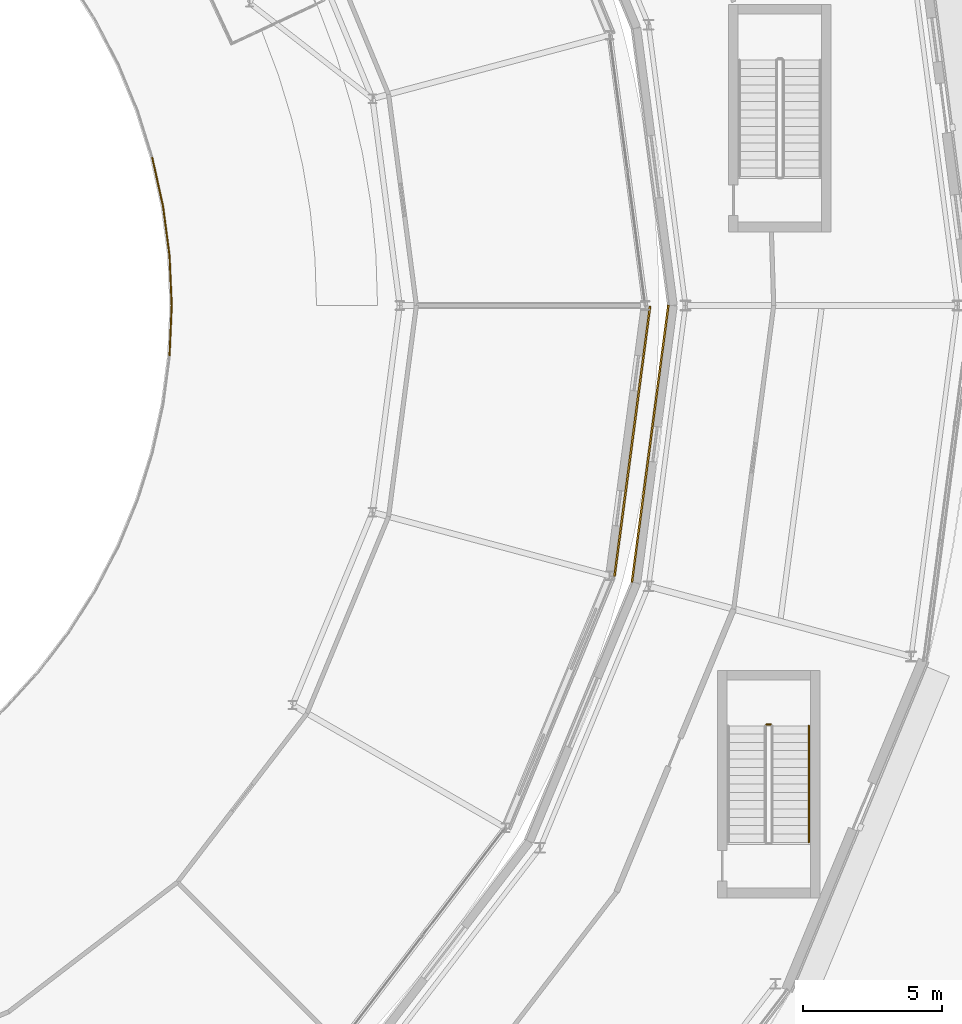
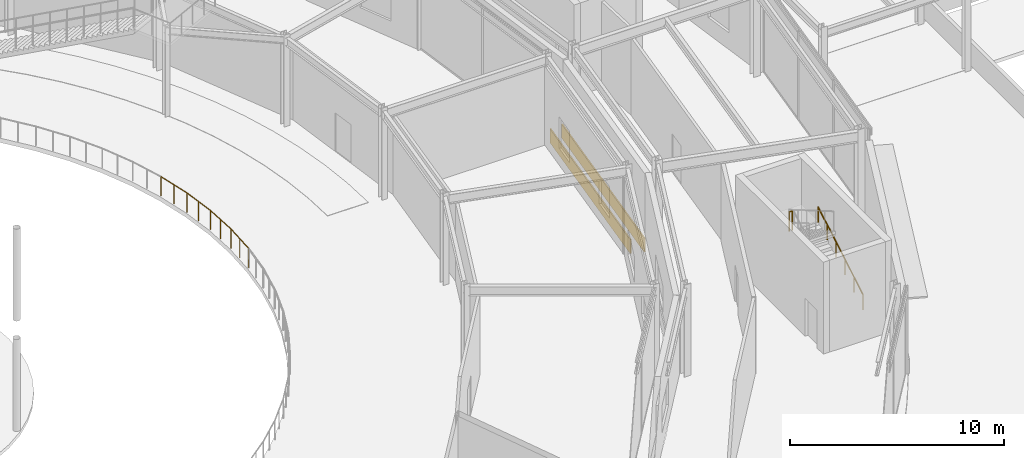
# One storey, part 150 of 168: 6 railings, 2 coverings.
"""IFC4 building model written with IfcOpenShell, lengths in metres."""

import ifcopenshell
import ifcopenshell.guid

model = None  # the IFC model being written
_history = None  # IfcOwnerHistory: only IFC2X3 demands one
_inside = {}  # id of a spatial element -> (the spatial element, [elements in it])
_under = {}  # id of a project, library or spatial element -> (it, [spatial elements below it])
_declared = {}  # id of a project -> (the project, [libraries it declares])
_typed = {}  # id of a type object -> (the type object, [elements of that type])
_made_of = {}  # id of a material, layer set ... -> (it, [elements and type objects made of it])


def new_model(schema):
    """Start an empty IFC model of exactly this schema.

    Asked for "IFC4X3", IfcOpenShell would pick the latest addendum, in which some entities
    have other attributes; the version numbers below select the first issue.
    IFC2X3 requires an IfcOwnerHistory on every rooted entity: one is made here for all.
    """
    global model, _history
    if schema == "IFC4X3":
        model = ifcopenshell.file(schema_version=(4, 3, 0, 0))
    else:
        model = ifcopenshell.file(schema=schema)
    _inside.clear()
    _under.clear()
    _declared.clear()
    _typed.clear()
    _made_of.clear()
    _history = None
    if model.schema == "IFC2X3":
        org = make("IfcOrganization", Name="unknown")
        user = make(
            "IfcPersonAndOrganization",
            ThePerson=make("IfcPerson", FamilyName="unknown"),
            TheOrganization=org,
        )
        app = make(
            "IfcApplication",
            ApplicationDeveloper=org,
            Version="unknown",
            ApplicationFullName="unknown",
            ApplicationIdentifier="unknown",
        )
        _history = make(
            "IfcOwnerHistory",
            OwningUser=user,
            OwningApplication=app,
            ChangeAction="ADDED",
            CreationDate=0,
        )
    return model


def make(cls, **values):
    """One entity of the class cls with the attributes given. An attribute that is None is left unset."""
    return model.create_entity(
        cls, **{name: value for name, value in values.items() if value is not None}
    )


def rooted(cls, **values):
    """An entity with a GlobalId (a new one), such as an element, a storey or a relation."""
    return make(cls, GlobalId=ifcopenshell.guid.new(), OwnerHistory=_history, **values)


def si_unit(unit_type, name, prefix=None):
    """IfcSIUnit, for example si_unit("LENGTHUNIT", "METRE", prefix="MILLI")."""
    return make("IfcSIUnit", UnitType=unit_type, Prefix=prefix, Name=name)


def assignment(units):
    """IfcUnitAssignment: the units of a project."""
    return None if units is None else make("IfcUnitAssignment", Units=units)


def point(xyz):
    """IfcCartesianPoint."""
    return None if xyz is None else make("IfcCartesianPoint", Coordinates=xyz)


def direction(xyz):
    """IfcDirection."""
    return None if xyz is None else make("IfcDirection", DirectionRatios=xyz)


def frame(location, z_axis=None, x_axis=None):
    """IfcAxis2Placement3D, a coordinate frame: its origin and axes. An axis left out is left unset."""
    return make(
        "IfcAxis2Placement3D",
        Location=point(location),
        Axis=direction(z_axis),
        RefDirection=direction(x_axis),
    )


def frame_2d(location, x_axis=None):
    """IfcAxis2Placement2D, a coordinate frame in the plane: its origin and x axis."""
    return make(
        "IfcAxis2Placement2D", Location=point(location), RefDirection=direction(x_axis)
    )


def origin():
    """The frame at (0, 0, 0) with its axes left unset."""
    return frame((0.0, 0.0, 0.0))


def origin_2d():
    """The frame at (0, 0) in the plane with its x axis left unset."""
    return frame_2d((0.0, 0.0))


def place(relative_to, where):
    """IfcLocalPlacement: puts the frame where relative to a parent placement (None: the world)."""
    return make(
        "IfcLocalPlacement", PlacementRelTo=relative_to, RelativePlacement=where
    )


def context(
    kind, dimensions, precision=None, world=None, true_north=None, identifier=None
):
    """IfcGeometricRepresentationContext, for example the 3D "Model" context."""
    return make(
        "IfcGeometricRepresentationContext",
        ContextIdentifier=identifier,
        ContextType=kind,
        CoordinateSpaceDimension=dimensions,
        Precision=precision,
        WorldCoordinateSystem=world,
        TrueNorth=true_north,
    )


def subcontext(parent, identifier, kind, view, scale=None):
    """IfcGeometricRepresentationSubContext, for example "Body" below "Model"."""
    return make(
        "IfcGeometricRepresentationSubContext",
        ContextIdentifier=identifier,
        ContextType=kind,
        ParentContext=parent,
        TargetScale=scale,
        TargetView=view,
    )


def project(units=None, contexts=None):
    """IfcProject with its units and contexts."""
    return rooted(
        "IfcProject",
        Name="project",
        RepresentationContexts=contexts,
        UnitsInContext=assignment(units),
    )


def spatial(cls, under=None, at=None, **own):
    """A site, building, storey or space (cls), placed at a placement, below another one or the project."""
    s = rooted(cls, ObjectPlacement=at, **own)
    if under is not None:
        _under.setdefault(under.id(), (under, []))[1].append(s)
    return s


def profile(cls, at=None, kind="AREA", **sizes):
    """A parametric profile (cls). Its sizes go by their IFC names, for example OverallWidth=200.0."""
    return make(cls, ProfileType=kind, Position=at, **sizes)


def rectangle(**sizes):
    """IfcRectangleProfileDef."""
    return profile("IfcRectangleProfileDef", **sizes)


def circle(**sizes):
    """IfcCircleProfileDef."""
    return profile("IfcCircleProfileDef", **sizes)


def extrude(swept, where, along, depth):
    """IfcExtrudedAreaSolid: the profile swept, set in the frame where, extruded along a direction by depth."""
    return make(
        "IfcExtrudedAreaSolid",
        SweptArea=swept,
        Position=where,
        ExtrudedDirection=direction(along),
        Depth=depth,
    )


def shape(context_of_items, identifier, shape_type, items):
    """IfcShapeRepresentation: the items that make up one representation, for example the "Body"."""
    return make(
        "IfcShapeRepresentation",
        ContextOfItems=context_of_items,
        RepresentationIdentifier=identifier,
        RepresentationType=shape_type,
        Items=items,
    )


def material(Name=None, Category=None):
    """IfcMaterial."""
    return make("IfcMaterial", Name=Name, Category=Category)


def layer(
    of_material, thickness, ventilated=None, Name=None, Category=None, Priority=None
):
    """IfcMaterialLayer: one layer of a wall or slab, of a material (None: an air gap)."""
    return make(
        "IfcMaterialLayer",
        Material=of_material,
        LayerThickness=thickness,
        IsVentilated=ventilated,
        Name=Name,
        Category=Category,
        Priority=Priority,
    )


def layer_set(layers, Name=None):
    """IfcMaterialLayerSet."""
    return make("IfcMaterialLayerSet", MaterialLayers=layers, LayerSetName=Name)


def made_of(thing, what):
    """Note that an element or type object is made of a material, layer set ...; save() writes the relation."""
    if what is not None:
        _made_of.setdefault(what.id(), (what, []))[1].append(thing)
    return thing


def type_object(cls, material=None, **own):
    """A type object (cls), such as IfcWallType, which elements share."""
    return made_of(rooted(cls, **own), material)


def element(
    cls,
    number,
    at=None,
    inside=None,
    cuts=None,
    type_object=None,
    material=None,
    context=None,
    identifier="Body",
    shape_type=None,
    held_by="IfcProductDefinitionShape",
    body=None,
    shapes=None,
    **own,
):
    """One element of the class cls, such as IfcWall. Its Tag is "e" and its number.

    at: its placement. inside: the storey or other place that contains it. cuts: it is an
    opening in that element (IfcRelVoidsElement). A single representation is given by context,
    identifier, shape_type and body (its items); several are given by shapes. held_by: the class
    of the entity that holds the representations. save() writes the other relations.
    """
    e = rooted(cls, Tag="e%d" % number, ObjectPlacement=at, **own)
    if body is not None:
        shapes = [shape(context, identifier, shape_type, body)]
    if shapes is not None:
        e.Representation = make(held_by, Representations=shapes)
    if inside is not None:
        _inside.setdefault(inside.id(), (inside, []))[1].append(e)
    if cuts is not None:
        rooted(
            "IfcRelVoidsElement", RelatingBuildingElement=cuts, RelatedOpeningElement=e
        )
    if type_object is not None:
        _typed.setdefault(type_object.id(), (type_object, []))[1].append(e)
    return made_of(e, material)


def aggregate(whole, parts):
    """IfcRelAggregates: a whole, such as a stair, and the parts it consists of."""
    return rooted("IfcRelAggregates", RelatingObject=whole, RelatedObjects=parts)


def save(model, path):
    """Write the relations noted so far, then the file.

    IfcRelAggregates (storeys below a building ...), IfcRelContainedInSpatialStructure (elements
    in a storey), IfcRelDefinesByType, IfcRelAssociatesMaterial and IfcRelDeclares: one each for
    every whole, place, type object, material and project.
    """
    for whole, parts in _under.values():
        aggregate(whole, parts)
    for where, things in _inside.values():
        rooted(
            "IfcRelContainedInSpatialStructure",
            RelatedElements=things,
            RelatingStructure=where,
        )
    for kind, things in _typed.values():
        rooted("IfcRelDefinesByType", RelatedObjects=things, RelatingType=kind)
    for what, things in _made_of.values():
        rooted("IfcRelAssociatesMaterial", RelatedObjects=things, RelatingMaterial=what)
    for by, libraries in _declared.values():
        rooted("IfcRelDeclares", RelatingContext=by, RelatedDefinitions=libraries)
    model.write(path)


model = new_model("IFC4")

# Units and contexts
model_context = context("Model", 3, precision=1e-05, world=origin(), true_north=direction((0.0, 1.0)))
body_context = subcontext(model_context, "Body", "Model", "MODEL_VIEW")
ifc_project = project(units=[si_unit("LENGTHUNIT", "METRE"), si_unit("AREAUNIT", "SQUARE_METRE"), si_unit("VOLUMEUNIT", "CUBIC_METRE"), si_unit("PLANEANGLEUNIT", "RADIAN"), si_unit("MASSUNIT", "GRAM", prefix="KILO")], contexts=[model_context])

# Site, building, storey
site_placement = place(None, origin())
site = spatial("IfcSite", under=ifc_project, at=site_placement, CompositionType="ELEMENT")
building_placement = place(site_placement, origin())
building = spatial("IfcBuilding", under=site, at=building_placement, Name="Almandine Court Research Institute", CompositionType="ELEMENT")
storey_placement = place(building_placement, origin())
storey = spatial("IfcBuildingStorey", under=building, at=storey_placement, Name="L00", CompositionType="ELEMENT", Elevation=0.0)

# Coverings
ifc_material_1 = material(Name="Honed Andean Red-Buff Sandstone Cladding", Category="masonry")
ifc_layer = layer(ifc_material_1, 0.06494140625)
ifc_layer_set = layer_set([ifc_layer], Name="Honed Andean Red-Buff Sandstone Cladding")
covering_type = type_object("IfcCoveringType", Name="Cov-CLAD-SAND", PredefinedType="CLADDING", material=ifc_layer_set)
covering_1_placement = place(storey_placement, frame((124.827880859375, 51.02001953125, 0.02001953125), z_axis=(0.0, 0.0, 1.0), x_axis=(0.13052619222, 0.991444861374, 0.0)))
element("IfcCovering", 1, at=covering_1_placement, inside=storey, type_object=covering_type, Name="L00 Facade Spandrel Cladding Band 259", PredefinedType="CLADDING", context=body_context, shape_type="SweptSolid", body=[
    extrude(rectangle(XDim=10.080078125, YDim=0.06494140625, at=origin_2d()), origin(), (0.0, 0.0, 1.0), 0.800048828125),
])
covering_2_placement = place(storey_placement, frame((124.181884765625, 51.10498046875, 0.02001953125), z_axis=(0.0, 0.0, 1.0), x_axis=(-0.13052619222, -0.991444861374, 0.0)))
element("IfcCovering", 2, at=covering_2_placement, inside=storey, type_object=covering_type, Name="L00 Facade Spandrel Cladding Band 441", PredefinedType="CLADDING", context=body_context, shape_type="SweptSolid", body=[
    extrude(rectangle(XDim=9.821044921875, YDim=0.06494140625, at=origin_2d()), origin(), (0.0, 0.0, 1.0), 0.800048828125),
])

# Railings
ifc_material_2 = material(Name="Powder-Coated Steel Stair and Atrium Balustrade", Category="steel")
railing_type_1 = type_object("IfcRailingType", Name="Rail-GUARD-INT", PredefinedType="BALUSTRADE", material=ifc_material_2)
railing_1_placement = place(storey_placement, frame((129.179931640625, 40.89990234375, 2.625)))
element("IfcRailing", 3, at=railing_1_placement, inside=storey, type_object=railing_type_1, Name="L00 ST-16 stair guard 2", PredefinedType="BALUSTRADE", context=body_context, shape_type="SweptSolid", body=[
    extrude(circle(Radius=0.02392578125, at=origin_2d()), frame((0.0, 0.0, 1.09619140625), z_axis=(-1.0, 0.0, 0.0), x_axis=(0.0, -1.0, 0.0)), (0.0, 0.0, 1.0), 0.159912109375),
    extrude(circle(Radius=0.02099609375, at=origin_2d()), origin(), (0.0, 0.0, 1.0), 1.072021484375),
    extrude(circle(Radius=0.02099609375, at=origin_2d()), frame((-0.159912109375, 0.0, 0.0)), (0.0, 0.0, 1.0), 1.072021484375),
])
railing_2_placement = place(storey_placement, frame((107.580078125, 56.0, 0.0)))
element("IfcRailing", 4, at=railing_2_placement, inside=storey, type_object=railing_type_1, Name="L00 Central Hauz Rainwater Court Balustrade 01", PredefinedType="BALUSTRADE", context=body_context, shape_type="SweptSolid", body=[
    extrude(circle(Radius=0.02392578125, at=origin_2d()), frame((0.0, 0.0, 1.09619140625), z_axis=(-0.043508027325, 0.999053077448, 0.0), x_axis=(-0.999053077448, -0.043508027325, 0.0)), (0.0, 0.0, 1.0), 1.795654296875),
    extrude(circle(Radius=0.02099609375, at=origin_2d()), origin(), (0.0, 0.0, 1.0), 1.072021484375),
    extrude(circle(Radius=0.02099609375, at=origin_2d()), frame((-0.0390625, 0.89697265625, 0.0)), (0.0, 0.0, 1.0), 1.072021484375),
    extrude(circle(Radius=0.02099609375, at=origin_2d()), frame((-0.078125, 1.7939453125, 0.0)), (0.0, 0.0, 1.0), 1.072021484375),
])
railing_3_placement = place(storey_placement, frame((107.501953125, 57.7939453125, 0.0)))
element("IfcRailing", 5, at=railing_3_placement, inside=storey, type_object=railing_type_1, Name="L00 Central Hauz Rainwater Court Balustrade 02", PredefinedType="BALUSTRADE", context=body_context, shape_type="SweptSolid", body=[
    extrude(circle(Radius=0.02392578125, at=origin_2d()), frame((0.0, 0.0, 1.09619140625), z_axis=(-0.130809765799, 0.991407486945, 0.0), x_axis=(-0.991407486945, -0.130809765799, 0.0)), (0.0, 0.0, 1.0), 1.79541015625),
    extrude(circle(Radius=0.02099609375, at=origin_2d()), origin(), (0.0, 0.0, 1.0), 1.072021484375),
    extrude(circle(Radius=0.02099609375, at=origin_2d()), frame((-0.117431640625, 0.89013671875, 0.0)), (0.0, 0.0, 1.0), 1.072021484375),
    extrude(circle(Radius=0.02099609375, at=origin_2d()), frame((-0.23486328125, 1.780029296875, 0.0)), (0.0, 0.0, 1.0), 1.072021484375),
])
railing_4_placement = place(storey_placement, frame((107.26708984375, 59.573974609375, 0.0)))
element("IfcRailing", 6, at=railing_4_placement, inside=storey, type_object=railing_type_1, Name="L00 Central Hauz Rainwater Court Balustrade 03", PredefinedType="BALUSTRADE", context=body_context, shape_type="SweptSolid", body=[
    extrude(circle(Radius=0.02392578125, at=origin_2d()), frame((0.0, 0.0, 1.09619140625), z_axis=(-0.21632537736, 0.976321325748, 0.0), x_axis=(-0.976321325748, -0.21632537736, 0.0)), (0.0, 0.0, 1.0), 1.79443359375),
    extrude(circle(Radius=0.02099609375, at=origin_2d()), origin(), (0.0, 0.0, 1.0), 1.072021484375),
    extrude(circle(Radius=0.02099609375, at=origin_2d()), frame((-0.194091796875, 0.8759765625, 0.0)), (0.0, 0.0, 1.0), 1.072021484375),
    extrude(circle(Radius=0.02099609375, at=origin_2d()), frame((-0.38818359375, 1.751953125, 0.0)), (0.0, 0.0, 1.0), 1.072021484375),
])
railing_5_placement = place(storey_placement, frame((107.501953125, 54.2060546875, 0.0)))
element("IfcRailing", 7, at=railing_5_placement, inside=storey, type_object=railing_type_1, Name="L00 Central Hauz Rainwater Court Balustrade 72", PredefinedType="BALUSTRADE", context=body_context, shape_type="SweptSolid", body=[
    extrude(circle(Radius=0.02392578125, at=origin_2d()), frame((0.0, 0.0, 1.09619140625), z_axis=(0.043508027325, 0.999053077448, 0.0), x_axis=(-0.999053077448, 0.043508027325, 0.0)), (0.0, 0.0, 1.0), 1.795654296875),
    extrude(circle(Radius=0.02099609375, at=origin_2d()), origin(), (0.0, 0.0, 1.0), 1.072021484375),
    extrude(circle(Radius=0.02099609375, at=origin_2d()), frame((0.0390625, 0.89697265625, 0.0)), (0.0, 0.0, 1.0), 1.072021484375),
    extrude(circle(Radius=0.02099609375, at=origin_2d()), frame((0.078125, 1.7939453125, 0.0)), (0.0, 0.0, 1.0), 1.072021484375),
])
ifc_material_3 = material(Name="Brushed Stainless Steel Wall Handrail", Category="steel")
railing_type_2 = type_object("IfcRailingType", Name="Rail-HAND-INT", PredefinedType="HANDRAIL", material=ifc_material_3)
railing_6_placement = place(storey_placement, frame((130.550048828125, 36.64990234375, 0.175048828125)))
element("IfcRailing", 8, at=railing_6_placement, inside=storey, type_object=railing_type_2, Name="L00 ST-16 stair handrail 1", PredefinedType="HANDRAIL", context=body_context, shape_type="SweptSolid", body=[
    extrude(circle(Radius=0.02392578125, at=origin_2d()), frame((0.0, 0.0, 0.8759765625), z_axis=(0.0, 0.863793468915, 0.503846050951), x_axis=(-1.0, 0.0, 0.0)), (0.0, 0.0, 1.0), 4.862548828125),
    extrude(circle(Radius=0.02099609375, at=origin_2d()), origin(), (0.0, 0.0, 1.0), 0.851806640625),
    extrude(circle(Radius=0.02099609375, at=origin_2d()), frame((0.0, 0.840087890625, 0.489990234375)), (0.0, 0.0, 1.0), 0.851806640625),
    extrude(circle(Radius=0.02099609375, at=origin_2d()), frame((0.0, 1.68017578125, 0.97998046875)), (0.0, 0.0, 1.0), 0.851806640625),
    extrude(circle(Radius=0.02099609375, at=origin_2d()), frame((0.0, 2.52001953125, 1.469970703125)), (0.0, 0.0, 1.0), 0.851806640625),
    extrude(circle(Radius=0.02099609375, at=origin_2d()), frame((0.0, 3.360107421875, 1.9599609375)), (0.0, 0.0, 1.0), 0.851806640625),
    extrude(circle(Radius=0.02099609375, at=origin_2d()), frame((0.0, 4.2001953125, 2.449951171875)), (0.0, 0.0, 1.0), 0.851806640625),
])

save(model, "model.ifc")
